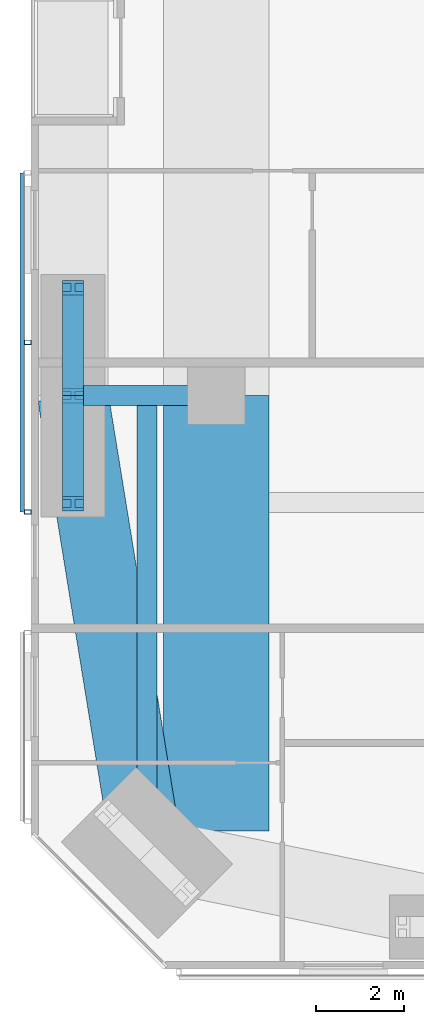
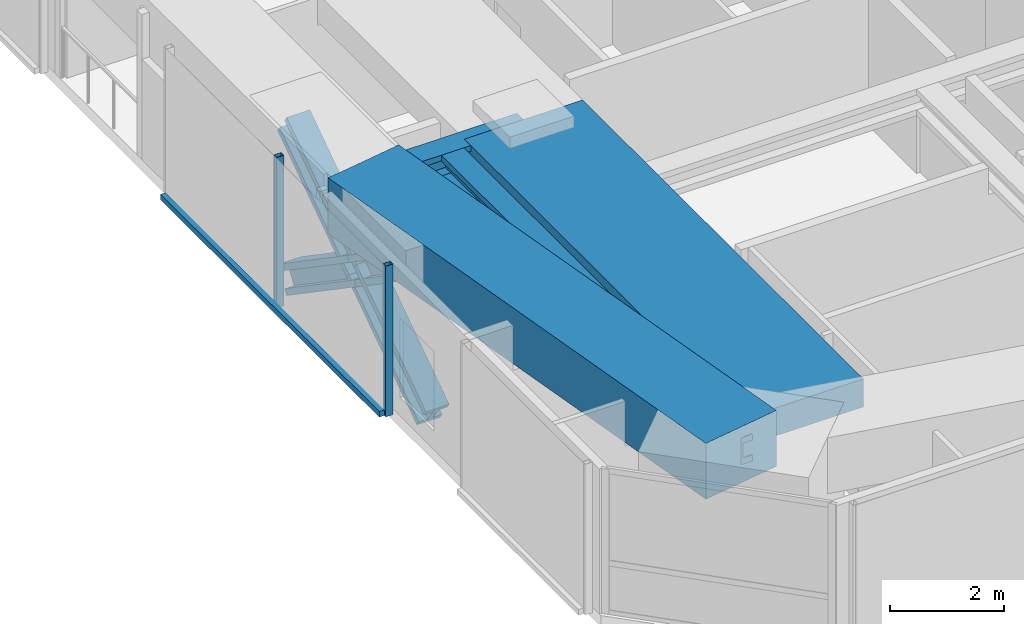
# One storey, part 3 of 25: 7 members, 4 beams, 1 element without a shape of its own.
"""IFC4 building model written with IfcOpenShell, lengths in metres."""

from ifc_helpers import new_model, si_unit, direction, frame, origin, origin_2d, place, context, subcontext, project, spatial, rectangle, hollow_rectangle, i_section, extrude, material, material_profile, profile_set, type_object, element, aggregate, save


model = new_model("IFC4")

# Units and contexts
model_context = context("Model", 3, precision=1e-05, world=origin(), true_north=direction((0.0, 1.0)))
body_context = subcontext(model_context, "Body", "Model", "MODEL_VIEW")
ifc_project = project(units=[si_unit("LENGTHUNIT", "METRE"), si_unit("AREAUNIT", "SQUARE_METRE"), si_unit("VOLUMEUNIT", "CUBIC_METRE"), si_unit("PLANEANGLEUNIT", "RADIAN"), si_unit("MASSUNIT", "GRAM", prefix="KILO")], contexts=[model_context])

# Site, building, storey
site_placement = place(None, origin())
site = spatial("IfcSite", under=ifc_project, at=site_placement, CompositionType="ELEMENT")
building_placement = place(site_placement, origin())
building = spatial("IfcBuilding", under=site, at=building_placement, Name="Jalousie Tower", CompositionType="ELEMENT")
storey_placement = place(building_placement, frame((0.0, 0.0, 101.5)))
storey = spatial("IfcBuildingStorey", under=building, at=storey_placement, Name="L27", CompositionType="ELEMENT", Elevation=101.5)

# Beams
ifc_material_1 = material(Name="Steel ASTM A992 Grade 50", Category="steel")
ifc_material_profile_1 = material_profile(ifc_material_1, i_section(OverallWidth=0.45458984375, OverallDepth=0.569091796875, WebThickness=0.077880859375, FlangeThickness=0.124755859375, at=origin_2d()), Name="W14X730")
ifc_profile_set_1 = profile_set([ifc_material_profile_1], Name="Steel ASTM A992 Grade 50")
beam_type_1 = type_object("IfcBeamType", Name="LEAN COLLECTOR W14X730", PredefinedType="BEAM", material=ifc_profile_set_1)
beam_1_placement = place(storey_placement, frame((6.949951171875, 13.0, 2.825439453125), z_axis=(1.0, 0.0, 0.0), x_axis=(0.0, 1.0, 0.0)))
element("IfcBeam", 1, at=beam_1_placement, inside=storey, type_object=beam_type_1, Name="Lean collector under L28", PredefinedType="BEAM", context=body_context, shape_type="SweptSolid", body=[
    extrude(i_section(OverallWidth=0.45458984375, OverallDepth=0.569091796875, WebThickness=0.077880859375, FlangeThickness=0.124755859375, at=origin_2d()), origin(), (0.0, 0.0, 1.0), 3.25),
])
beam_2_placement = place(storey_placement, frame((8.63134765625, 2.63134765625, 2.825439453125), z_axis=(0.0, 1.0, 0.0), x_axis=(-1.0, 0.0, 0.0)))
element("IfcBeam", 2, at=beam_2_placement, inside=storey, type_object=beam_type_1, Name="Lean collector under L28", PredefinedType="BEAM", context=body_context, shape_type="SweptSolid", body=[
    extrude(i_section(OverallWidth=0.45458984375, OverallDepth=0.569091796875, WebThickness=0.077880859375, FlangeThickness=0.124755859375, at=origin_2d()), origin(), (0.0, 0.0, 1.0), 10.36865234375),
])

# Members
ifc_material_2 = material(Name="Steel ASTM A992 Grade 50", Category="steel")
ifc_material_profile_2 = material_profile(ifc_material_2, i_section(OverallWidth=0.472412109375, OverallDepth=0.5791015625, WebThickness=0.094970703125, FlangeThickness=0.1298828125, at=origin_2d()), Name="W14X808")
ifc_profile_set_2 = profile_set([ifc_material_profile_2], Name="Steel ASTM A992 Grade 50")
member_type_1 = type_object("IfcMemberType", Name="PERIMETER BRACE W14X808", PredefinedType="BRACE", material=ifc_profile_set_2)
for number, where, z_axis, x_axis, name in (
    (3, (6.949951171875, 10.550048828125, -0.60009765625), (0.0, 0.825500916831, 0.564400776321), (-1.0, 0.0, 0.0), "Perimeter brace 14 L27 part 1"),
    (4, (6.949951171875, 13.0, 1.074951171875), (0.0, 0.825500916831, 0.564400776321), (-1.0, 0.0, 0.0), "Perimeter brace 14 L27 part 2"),
    (5, (6.949951171875, 15.449951171875, -0.60009765625), (0.0, -0.825500916831, 0.564400776321), (1.0, 0.0, 0.0), "Perimeter brace 14 L27 part 3"),
    (6, (6.949951171875, 13.0, 1.074951171875), (0.0, -0.825500916831, 0.564400776321), (1.0, 0.0, 0.0), "Perimeter brace 14 L27 part 4"),
):
    element("IfcMember", number, at=place(storey_placement, frame(where, z_axis=z_axis, x_axis=x_axis)), inside=storey, type_object=member_type_1, Name=name, PredefinedType="BRACE", context=body_context, shape_type="SweptSolid", body=[
        extrude(i_section(OverallWidth=0.472412109375, OverallDepth=0.5791015625, WebThickness=0.094970703125, FlangeThickness=0.1298828125, at=origin_2d()), origin(), (0.0, 0.0, 1.0), 2.9677734375),
    ])

# Beams
ifc_material_3 = material(Name="Concrete f'c 40 MPa", Category="concrete")
ifc_material_profile_3 = material_profile(ifc_material_3, rectangle(XDim=1.60009765625, YDim=1.199951171875, at=origin_2d()), Name="RC 1600x1200")
ifc_profile_set_3 = profile_set([ifc_material_profile_3], Name="Concrete f'c 40 MPa")
beam_type_2 = type_object("IfcBeamType", Name="RC BEAM 1600x1200", PredefinedType="BEAM", material=ifc_profile_set_3)
beam_3_placement = place(storey_placement, frame((6.949951171875, 13.0, 2.75), z_axis=(0.160070546476, -0.987105577003, 0.0), x_axis=(0.987105577003, 0.160070546476, 0.0)))
element("IfcBeam", 7, at=beam_3_placement, inside=storey, type_object=beam_type_2, Name="Edge band beam 14-01 under L28", PredefinedType="BEAM", context=body_context, shape_type="SweptSolid", body=[
    extrude(rectangle(XDim=1.60009765625, YDim=1.199951171875, at=origin_2d()), origin(), (0.0, 0.0, 1.0), 10.504150390625),
])
ifc_material_4 = material(Name="Concrete f'c 40 MPa", Category="concrete")
ifc_material_profile_4 = material_profile(ifc_material_4, rectangle(XDim=2.39990234375, YDim=0.60009765625, at=origin_2d()), Name="RC 2400x600")
ifc_profile_set_4 = profile_set([ifc_material_profile_4], Name="Concrete f'c 40 MPa")
beam_type_3 = type_object("IfcBeamType", Name="RC BEAM 2400x600", PredefinedType="BEAM", material=ifc_profile_set_4)
beam_4_placement = place(storey_placement, frame((10.199951171875, 13.0, 2.81005859375), z_axis=(0.0, -1.0, 0.0), x_axis=(1.0, 0.0, 0.0)))
element("IfcBeam", 8, at=beam_4_placement, inside=storey, type_object=beam_type_3, Name="Floor band beam under L28", PredefinedType="BEAM", context=body_context, shape_type="SweptSolid", body=[
    extrude(rectangle(XDim=2.39990234375, YDim=0.60009765625, at=origin_2d()), origin(), (0.0, 0.0, 1.0), 9.8720703125),
])

# Curtain wall, members
ifc_material_5 = material(Name="Perforated aluminium sheet", Category="aluminium")
curtain_wall_type = type_object("IfcCurtainWallType", Name="SOLAR SCREEN SS-1", PredefinedType="USERDEFINED", material=ifc_material_5)
curtain_wall_placement = place(storey_placement, origin())
curtain_wall = element("IfcCurtainWall", 9, at=curtain_wall_placement, inside=storey, type_object=curtain_wall_type, Name="Solar screen L27", ObjectType="SOLAR SCREEN SS-1", PredefinedType="USERDEFINED")
ifc_material_6 = material(Name="Steel ASTM A500 Grade C", Category="steel")
ifc_material_profile_5 = material_profile(ifc_material_6, hollow_rectangle(XDim=0.1015625, YDim=0.15234375, WallThickness=0.00634765625, at=origin_2d()), Name="HSS6X4X1/4")
ifc_profile_set_5 = profile_set([ifc_material_profile_5], Name="Steel ASTM A500 Grade C")
member_type_2 = type_object("IfcMemberType", Name="SOLAR SCREEN SS-1 MULLION", PredefinedType="MULLION", material=ifc_profile_set_5)
member_1_placement = place(storey_placement, frame((5.9287109375, 14.205810546875, -0.1201171875), z_axis=(0.0, 0.0, 1.0), x_axis=(0.0, -1.0, 0.0)))
member_1 = element("IfcMember", 10, at=member_1_placement, type_object=member_type_2, Name="SS1 post 2", PredefinedType="MULLION", context=body_context, shape_type="SweptSolid", body=[
    extrude(hollow_rectangle(XDim=0.1015625, YDim=0.15234375, WallThickness=0.00634765625, at=origin_2d()), origin(), (0.0, 0.0, 1.0), 3.230224609375),
])
member_2_placement = place(storey_placement, frame((5.9287109375, 10.36181640625, -0.1201171875), z_axis=(0.0, 0.0, 1.0), x_axis=(0.0, -1.0, 0.0)))
member_2 = element("IfcMember", 11, at=member_2_placement, type_object=member_type_2, Name="SS1 post 3", PredefinedType="MULLION", context=body_context, shape_type="SweptSolid", body=[
    extrude(hollow_rectangle(XDim=0.1015625, YDim=0.15234375, WallThickness=0.00634765625, at=origin_2d()), origin(), (0.0, 0.0, 1.0), 3.230224609375),
])
ifc_material_7 = material(Name="Extruded aluminium screen rail", Category="aluminium")
ifc_material_profile_6 = material_profile(ifc_material_7, rectangle(XDim=0.1015625, YDim=0.1201171875, at=origin_2d()), Name="RAIL 102x120")
ifc_profile_set_6 = profile_set([ifc_material_profile_6], Name="Extruded aluminium screen rail")
member_type_3 = type_object("IfcMemberType", Name="SOLAR SCREEN SS-1 TRANSOM", PredefinedType="USERDEFINED", material=ifc_profile_set_6)
member_3_placement = place(storey_placement, frame((5.8017578125, 18.050048828125, -0.06005859375), z_axis=(0.0, -1.0, 0.0), x_axis=(1.0, 0.0, 0.0)))
member_3 = element("IfcMember", 12, at=member_3_placement, type_object=member_type_3, Name="SS1 rail", ObjectType="TRANSOM", PredefinedType="USERDEFINED", context=body_context, shape_type="SweptSolid", body=[
    extrude(rectangle(XDim=0.1015625, YDim=0.1201171875, at=origin_2d()), origin(), (0.0, 0.0, 1.0), 7.688232421875),
])
aggregate(curtain_wall, [member_1, member_2, member_3])

save(model, "model.ifc")
